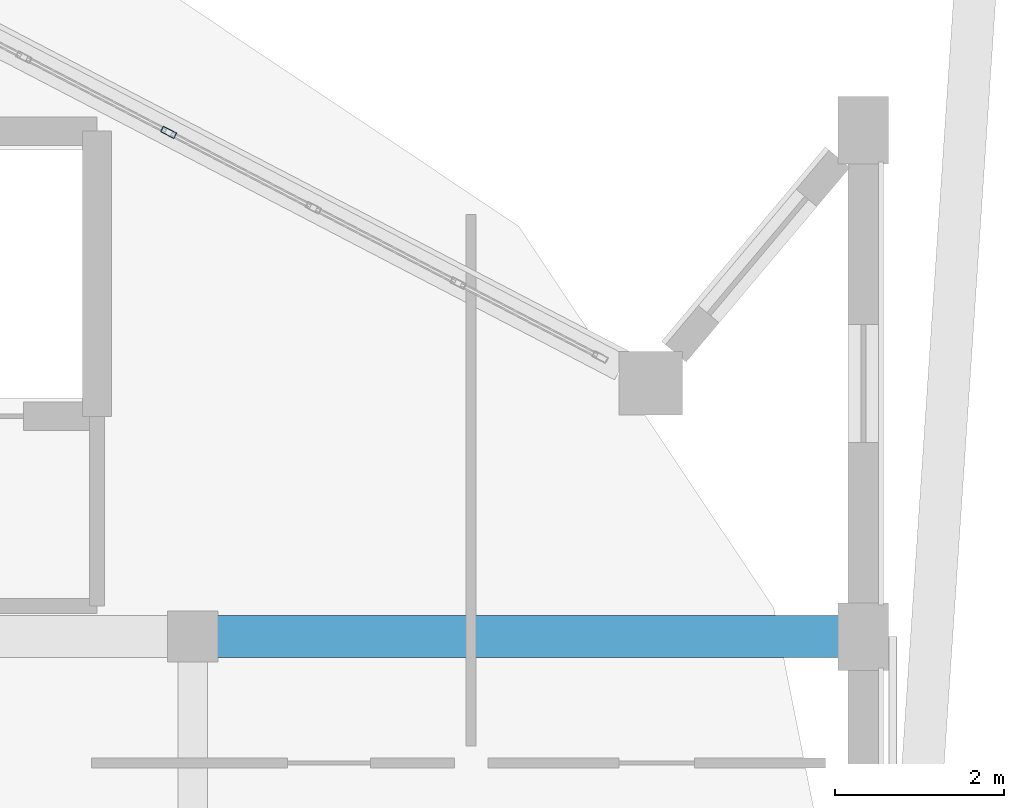
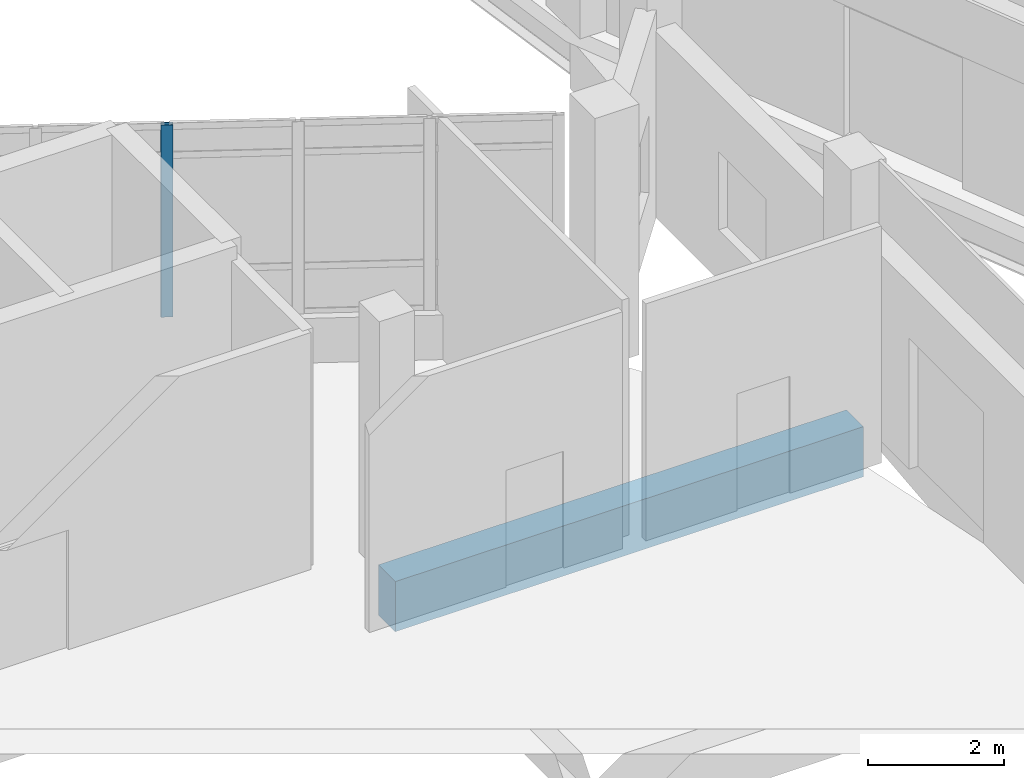
# One storey, part 24 of 129: 1 beam, 1 member, 1 element without a shape of its own.
"""IFC4 building model written with IfcOpenShell, lengths in metres."""

from ifc_helpers import new_model, si_unit, direction, frame, origin, origin_2d, place, context, subcontext, project, spatial, rectangle, hollow_rectangle, extrude, material, layer, layer_set, material_profile, profile_set, type_object, element, aggregate, save


model = new_model("IFC4")

# Units and contexts
model_context = context("Model", 3, precision=1e-05, world=origin(), true_north=direction((0.0, 1.0)))
body_context = subcontext(model_context, "Body", "Model", "MODEL_VIEW")
ifc_project = project(units=[si_unit("LENGTHUNIT", "METRE"), si_unit("AREAUNIT", "SQUARE_METRE"), si_unit("VOLUMEUNIT", "CUBIC_METRE"), si_unit("PLANEANGLEUNIT", "RADIAN"), si_unit("MASSUNIT", "GRAM", prefix="KILO")], contexts=[model_context])

# Site, building, storey
site_placement = place(None, origin())
site = spatial("IfcSite", under=ifc_project, at=site_placement, CompositionType="ELEMENT")
building_placement = place(site_placement, origin())
building = spatial("IfcBuilding", under=site, at=building_placement, Name="Vespera Passage Community Centre", CompositionType="ELEMENT")
storey_placement = place(building_placement, origin())
storey = spatial("IfcBuildingStorey", under=building, at=storey_placement, Name="L00", CompositionType="ELEMENT", Elevation=0.0)

# Beam
ifc_material_1 = material(Name="Concrete f'c 45 MPa", Category="concrete")
ifc_material_profile_1 = material_profile(ifc_material_1, rectangle(XDim=0.5, YDim=0.89990234375, at=origin_2d()), Name="RC500X900")
ifc_profile_set_1 = profile_set([ifc_material_profile_1], Name="Concrete f'c 45 MPa")
beam_type = type_object("IfcBeamType", Name="BM-G-500X900", PredefinedType="BEAM", material=ifc_profile_set_1)
beam_placement = place(storey_placement, frame((24.0, 43.0, -0.75), z_axis=(1.0, 0.0, 0.0), x_axis=(0.0, 1.0, 0.0)))
element("IfcBeam", 1, at=beam_placement, inside=storey, type_object=beam_type, Name="V1 L00 Floor Girder 7.3", PredefinedType="BEAM", context=body_context, shape_type="SweptSolid", body=[
    extrude(rectangle(XDim=0.5, YDim=0.89990234375, at=origin_2d()), origin(), (0.0, 0.0, 1.0), 7.949951171875),
])

# Curtain wall, member
ifc_material_2 = material(Name="Anodized aluminium 6063-T6", Category="aluminium")
ifc_layer = layer(ifc_material_2, 0.159912109375)
ifc_layer_set = layer_set([ifc_layer], Name="Anodized aluminium 6063-T6")
curtain_wall_type = type_object("IfcCurtainWallType", Name="CW-83E", PredefinedType="NOTDEFINED", material=ifc_layer_set)
curtain_wall_placement = place(storey_placement, origin())
curtain_wall = element("IfcCurtainWall", 2, at=curtain_wall_placement, inside=storey, type_object=curtain_wall_type, Name="V1 L00 N Apse Ribbon Curtain Wall 3", PredefinedType="NOTDEFINED")
ifc_material_3 = material(Name="Anodized aluminium 6063-T6", Category="aluminium")
ifc_material_profile_2 = material_profile(ifc_material_3, hollow_rectangle(XDim=0.074951171875, YDim=0.179931640625, WallThickness=0.0048828125, InnerFilletRadius=0.00244140625, OuterFilletRadius=0.0048828125, at=origin_2d()), Name="ALU180X75X5")
ifc_profile_set_2 = profile_set([ifc_material_profile_2], Name="Anodized aluminium 6063-T6")
member_type = type_object("IfcMemberType", Name="MB-CWM-180E", PredefinedType="MULLION", material=ifc_profile_set_2)
member_placement = place(storey_placement, frame((23.713623046875, 48.9755859375, 0.800048828125), z_axis=(0.0, 0.0, 1.0), x_axis=(0.46174493668, 0.887012747062, 0.0)))
member = element("IfcMember", 3, at=member_placement, type_object=member_type, Name="CW-83E mullion 4", PredefinedType="MULLION", context=body_context, shape_type="SweptSolid", body=[
    extrude(hollow_rectangle(XDim=0.074951171875, YDim=0.179931640625, WallThickness=0.0048828125, InnerFilletRadius=0.00244140625, OuterFilletRadius=0.0048828125, at=origin_2d()), origin(), (0.0, 0.0, 1.0), 3.449951171875),
])
aggregate(curtain_wall, [member])

save(model, "model.ifc")
